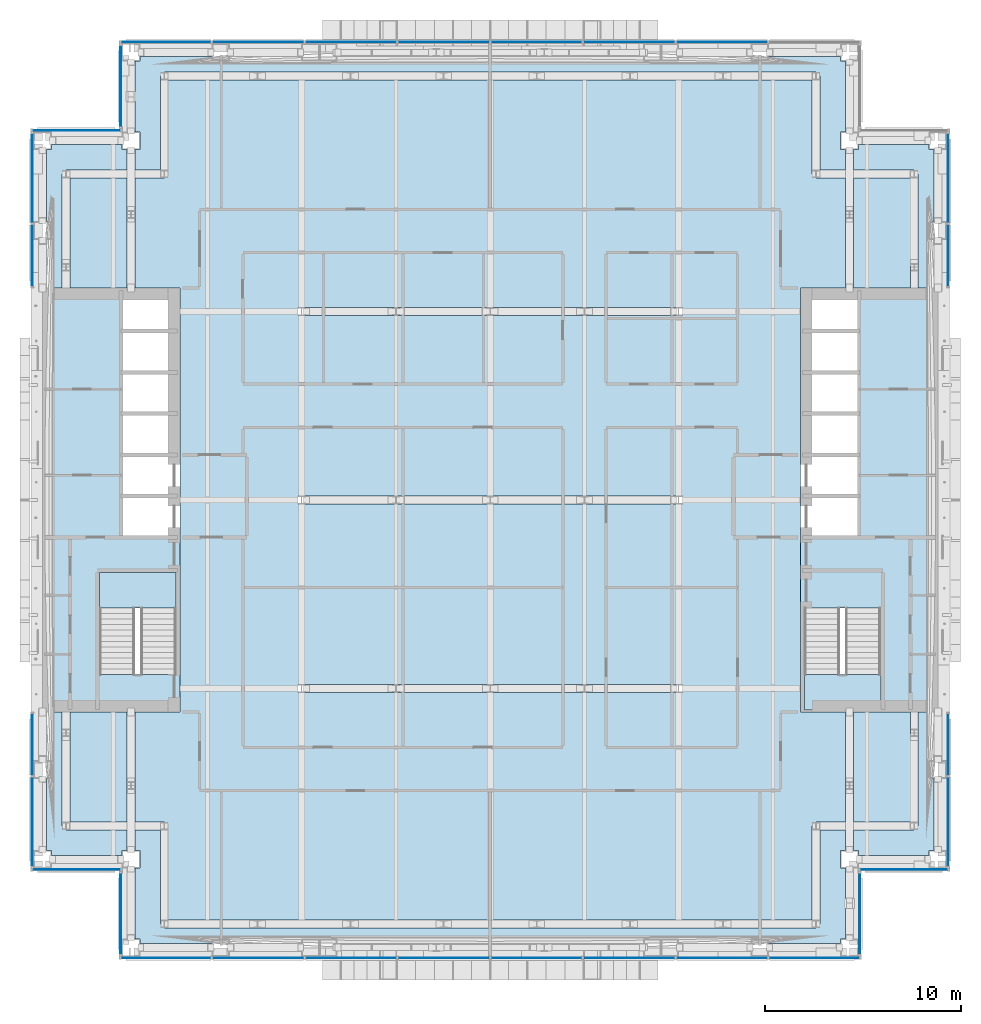
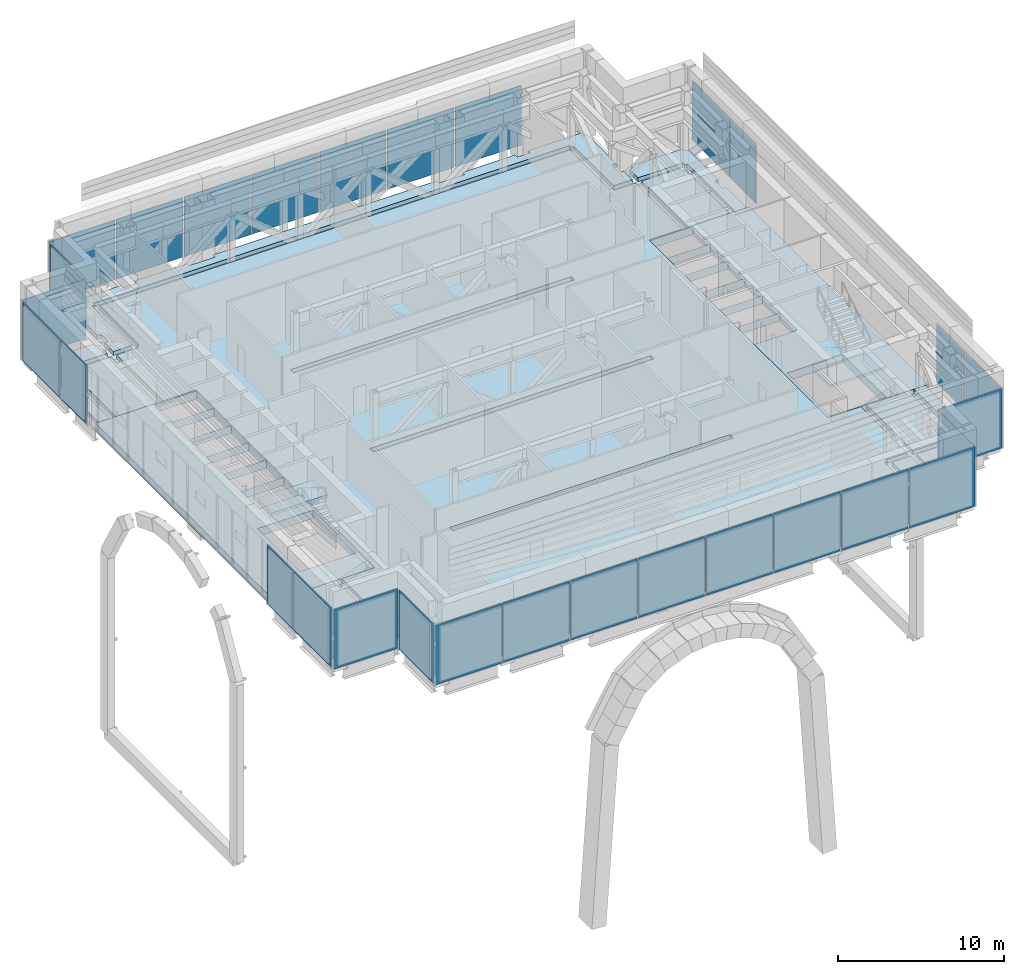
# One storey, part 9 of 38: 29 plates, 11 slabs, 14 elements without a shape of their own.
"""IFC4 building model written with IfcOpenShell, lengths in metres."""

from ifc_helpers import new_model, si_unit, direction, frame, origin, origin_2d, place, context, subcontext, project, spatial, polyline, rectangle, outline, extrude, material, layer, layer_set, type_object, element, aggregate, save


model = new_model("IFC4")

# Units and contexts
model_context = context("Model", 3, precision=1e-05, world=origin(), true_north=direction((0.0, 1.0)))
body_context = subcontext(model_context, "Body", "Model", "MODEL_VIEW")
ifc_project = project(units=[si_unit("LENGTHUNIT", "METRE"), si_unit("AREAUNIT", "SQUARE_METRE"), si_unit("VOLUMEUNIT", "CUBIC_METRE"), si_unit("PLANEANGLEUNIT", "RADIAN"), si_unit("MASSUNIT", "GRAM", prefix="KILO")], contexts=[model_context])

# Site, building, storey
site_placement = place(None, origin())
site = spatial("IfcSite", under=ifc_project, at=site_placement, CompositionType="ELEMENT")
building_placement = place(site_placement, origin())
building = spatial("IfcBuilding", under=site, at=building_placement, Name="Cobrizo Arcos Hotel Tower", CompositionType="ELEMENT")
storey_placement = place(building_placement, frame((0.0, 0.0, 138.0)))
storey = spatial("IfcBuildingStorey", under=building, at=storey_placement, Name="L35", CompositionType="ELEMENT", Elevation=138.0)

# Curtain wall, plates
ifc_material_1 = material(Name="Aluminium 6063-T6 anodised bronze", Category="aluminium")
curtain_wall_type = type_object("IfcCurtainWallType", Name="CW-D plant louvre wall", PredefinedType="NOTDEFINED", material=ifc_material_1)
curtain_wall_1_placement = place(storey_placement, origin())
curtain_wall_1 = element("IfcCurtainWall", 1, at=curtain_wall_1_placement, inside=storey, type_object=curtain_wall_type, Name="CW-D L35 S face", PredefinedType="NOTDEFINED")
ifc_material_2 = material(Name="Aluminium composite panel pale metal", Category="aluminium")
ifc_layer_1 = layer(ifc_material_2, 0.06005859375)
ifc_layer_set_1 = layer_set([ifc_layer_1], Name="CW-D spandrel panel")
plate_type = type_object("IfcPlateType", Name="CW-D spandrel panel", PredefinedType="CURTAIN_PANEL", material=ifc_layer_set_1)
plate_1_placement = place(storey_placement, frame((-16.512451171875, -23.324951171875, 0.0), z_axis=(0.0, 0.0, 1.0), x_axis=(1.0, 0.0, 0.0)))
plate_1 = element("IfcPlate", 2, at=plate_1_placement, type_object=plate_type, Name="CW-D insulated panel 1275", PredefinedType="CURTAIN_PANEL", context=body_context, shape_type="SweptSolid", body=[
    extrude(rectangle(XDim=4.574951171875, YDim=0.0400390625, at=origin_2d()), origin(), (0.0, 0.0, 1.0), 4.39990234375),
])
plate_2_placement = place(storey_placement, frame((-11.8125, -23.324951171875, 0.0), z_axis=(0.0, 0.0, 1.0), x_axis=(1.0, 0.0, 0.0)))
plate_2 = element("IfcPlate", 3, at=plate_2_placement, type_object=plate_type, Name="CW-D insulated panel 1276", PredefinedType="CURTAIN_PANEL", context=body_context, shape_type="SweptSolid", body=[
    extrude(rectangle(XDim=4.625, YDim=0.0400390625, at=origin_2d()), origin(), (0.0, 0.0, 1.0), 4.39990234375),
])
plate_3_placement = place(storey_placement, frame((-7.08740234375, -23.324951171875, 0.0), z_axis=(0.0, 0.0, 1.0), x_axis=(1.0, 0.0, 0.0)))
plate_3 = element("IfcPlate", 4, at=plate_3_placement, type_object=plate_type, Name="CW-D insulated panel 1277", PredefinedType="CURTAIN_PANEL", context=body_context, shape_type="SweptSolid", body=[
    extrude(rectangle(XDim=4.625, YDim=0.0400390625, at=origin_2d()), origin(), (0.0, 0.0, 1.0), 4.39990234375),
])
plate_4_placement = place(storey_placement, frame((-2.362548828125, -23.324951171875, 0.0), z_axis=(0.0, 0.0, 1.0), x_axis=(1.0, 0.0, 0.0)))
plate_4 = element("IfcPlate", 5, at=plate_4_placement, type_object=plate_type, Name="CW-D insulated panel 1278", PredefinedType="CURTAIN_PANEL", context=body_context, shape_type="SweptSolid", body=[
    extrude(rectangle(XDim=4.625, YDim=0.0400390625, at=origin_2d()), origin(), (0.0, 0.0, 1.0), 4.39990234375),
])
plate_5_placement = place(storey_placement, frame((2.362548828125, -23.324951171875, 0.0), z_axis=(0.0, 0.0, 1.0), x_axis=(1.0, 0.0, 0.0)))
plate_5 = element("IfcPlate", 6, at=plate_5_placement, type_object=plate_type, Name="CW-D insulated panel 1279", PredefinedType="CURTAIN_PANEL", context=body_context, shape_type="SweptSolid", body=[
    extrude(rectangle(XDim=4.625, YDim=0.0400390625, at=origin_2d()), origin(), (0.0, 0.0, 1.0), 4.39990234375),
])
plate_6_placement = place(storey_placement, frame((7.08740234375, -23.324951171875, 0.0), z_axis=(0.0, 0.0, 1.0), x_axis=(1.0, 0.0, 0.0)))
plate_6 = element("IfcPlate", 7, at=plate_6_placement, type_object=plate_type, Name="CW-D insulated panel 1280", PredefinedType="CURTAIN_PANEL", context=body_context, shape_type="SweptSolid", body=[
    extrude(rectangle(XDim=4.625, YDim=0.0400390625, at=origin_2d()), origin(), (0.0, 0.0, 1.0), 4.39990234375),
])
plate_7_placement = place(storey_placement, frame((11.8125, -23.324951171875, 0.0), z_axis=(0.0, 0.0, 1.0), x_axis=(1.0, 0.0, 0.0)))
plate_7 = element("IfcPlate", 8, at=plate_7_placement, type_object=plate_type, Name="CW-D insulated panel 1281", PredefinedType="CURTAIN_PANEL", context=body_context, shape_type="SweptSolid", body=[
    extrude(rectangle(XDim=4.625, YDim=0.0400390625, at=origin_2d()), origin(), (0.0, 0.0, 1.0), 4.39990234375),
])
plate_8_placement = place(storey_placement, frame((16.512451171875, -23.324951171875, 0.0), z_axis=(0.0, 0.0, 1.0), x_axis=(1.0, 0.0, 0.0)))
plate_8 = element("IfcPlate", 9, at=plate_8_placement, type_object=plate_type, Name="CW-D insulated panel 1282", PredefinedType="CURTAIN_PANEL", context=body_context, shape_type="SweptSolid", body=[
    extrude(rectangle(XDim=4.574951171875, YDim=0.0400390625, at=origin_2d()), origin(), (0.0, 0.0, 1.0), 4.39990234375),
])
aggregate(curtain_wall_1, [plate_1, plate_2, plate_3, plate_4, plate_5, plate_6, plate_7, plate_8])

# Curtain wall, plate
curtain_wall_2_placement = place(storey_placement, origin())
curtain_wall_2 = element("IfcCurtainWall", 10, at=curtain_wall_2_placement, inside=storey, type_object=curtain_wall_type, Name="CW-D L35 E face", PredefinedType="NOTDEFINED")
plate_9_placement = place(storey_placement, frame((18.824951171875, -21.074951171875, 0.0), z_axis=(0.0, 0.0, 1.0), x_axis=(0.0, 1.0, 0.0)))
plate_9 = element("IfcPlate", 11, at=plate_9_placement, type_object=plate_type, Name="CW-D insulated panel 1283", PredefinedType="CURTAIN_PANEL", context=body_context, shape_type="SweptSolid", body=[
    extrude(rectangle(XDim=4.14990234375, YDim=0.0400390625, at=origin_2d()), origin(), (0.0, 0.0, 1.0), 4.39990234375),
])
aggregate(curtain_wall_2, [plate_9])

curtain_wall_3_placement = place(storey_placement, origin())
curtain_wall_3 = element("IfcCurtainWall", 12, at=curtain_wall_3_placement, inside=storey, type_object=curtain_wall_type, Name="CW-D L35 S face", PredefinedType="NOTDEFINED")
plate_10_placement = place(storey_placement, frame((21.074951171875, -18.824951171875, 0.0), z_axis=(0.0, 0.0, 1.0), x_axis=(1.0, 0.0, 0.0)))
plate_10 = element("IfcPlate", 13, at=plate_10_placement, type_object=plate_type, Name="CW-D insulated panel 1284", PredefinedType="CURTAIN_PANEL", context=body_context, shape_type="SweptSolid", body=[
    extrude(rectangle(XDim=4.449951171875, YDim=0.0400390625, at=origin_2d()), origin(), (0.0, 0.0, 1.0), 4.39990234375),
])
aggregate(curtain_wall_3, [plate_10])

# Curtain wall, plates
curtain_wall_4_placement = place(storey_placement, origin())
curtain_wall_4 = element("IfcCurtainWall", 14, at=curtain_wall_4_placement, inside=storey, type_object=curtain_wall_type, Name="CW-D L35 E face", PredefinedType="NOTDEFINED")
plate_11_placement = place(storey_placement, frame((23.324951171875, -16.38134765625, 0.0), z_axis=(0.0, 0.0, 1.0), x_axis=(0.0, 1.0, 0.0)))
plate_11 = element("IfcPlate", 15, at=plate_11_placement, type_object=plate_type, Name="CW-D insulated panel 1285", PredefinedType="CURTAIN_PANEL", context=body_context, shape_type="SweptSolid", body=[
    extrude(rectangle(XDim=4.53759765625, YDim=0.0400390625, at=origin_2d()), origin(), (0.0, 0.0, 1.0), 4.39990234375),
])
plate_12_placement = place(storey_placement, frame((23.324951171875, -12.456298828125, 0.0), z_axis=(0.0, 0.0, 1.0), x_axis=(0.0, 1.0, 0.0)))
plate_12 = element("IfcPlate", 16, at=plate_12_placement, type_object=plate_type, Name="CW-D insulated panel 1286", PredefinedType="CURTAIN_PANEL", context=body_context, shape_type="SweptSolid", body=[
    extrude(rectangle(XDim=3.112548828125, YDim=0.0400390625, at=origin_2d()), origin(), (0.0, 0.0, 1.0), 4.39990234375),
])
aggregate(curtain_wall_4, [plate_11, plate_12])

curtain_wall_5_placement = place(storey_placement, origin())
curtain_wall_5 = element("IfcCurtainWall", 17, at=curtain_wall_5_placement, inside=storey, type_object=curtain_wall_type, Name="CW-D L35 E face", PredefinedType="NOTDEFINED")
plate_13_placement = place(storey_placement, frame((23.324951171875, 12.456298828125, 0.0), z_axis=(0.0, 0.0, 1.0), x_axis=(0.0, 1.0, 0.0)))
plate_13 = element("IfcPlate", 18, at=plate_13_placement, type_object=plate_type, Name="CW-D insulated panel 1287", PredefinedType="CURTAIN_PANEL", context=body_context, shape_type="SweptSolid", body=[
    extrude(rectangle(XDim=3.112548828125, YDim=0.0400390625, at=origin_2d()), origin(), (0.0, 0.0, 1.0), 4.39990234375),
])
plate_14_placement = place(storey_placement, frame((23.324951171875, 16.38134765625, 0.0), z_axis=(0.0, 0.0, 1.0), x_axis=(0.0, 1.0, 0.0)))
plate_14 = element("IfcPlate", 19, at=plate_14_placement, type_object=plate_type, Name="CW-D insulated panel 1288", PredefinedType="CURTAIN_PANEL", context=body_context, shape_type="SweptSolid", body=[
    extrude(rectangle(XDim=4.53759765625, YDim=0.0400390625, at=origin_2d()), origin(), (0.0, 0.0, 1.0), 4.39990234375),
])
aggregate(curtain_wall_5, [plate_13, plate_14])

curtain_wall_6_placement = place(storey_placement, origin())
curtain_wall_6 = element("IfcCurtainWall", 20, at=curtain_wall_6_placement, inside=storey, type_object=curtain_wall_type, Name="CW-D L35 N face", PredefinedType="NOTDEFINED")
plate_15_placement = place(storey_placement, frame((11.8125, 23.324951171875, 0.0), z_axis=(0.0, 0.0, 1.0), x_axis=(-1.0, 0.0, 0.0)))
plate_15 = element("IfcPlate", 21, at=plate_15_placement, type_object=plate_type, Name="CW-D insulated panel 1292", PredefinedType="CURTAIN_PANEL", context=body_context, shape_type="SweptSolid", body=[
    extrude(rectangle(XDim=4.625, YDim=0.0400390625, at=origin_2d()), origin(), (0.0, 0.0, 1.0), 4.39990234375),
])
plate_16_placement = place(storey_placement, frame((7.08740234375, 23.324951171875, 0.0), z_axis=(0.0, 0.0, 1.0), x_axis=(-1.0, 0.0, 0.0)))
plate_16 = element("IfcPlate", 22, at=plate_16_placement, type_object=plate_type, Name="CW-D insulated panel 1293", PredefinedType="CURTAIN_PANEL", context=body_context, shape_type="SweptSolid", body=[
    extrude(rectangle(XDim=4.625, YDim=0.0400390625, at=origin_2d()), origin(), (0.0, 0.0, 1.0), 4.39990234375),
])
plate_17_placement = place(storey_placement, frame((2.362548828125, 23.324951171875, 0.0), z_axis=(0.0, 0.0, 1.0), x_axis=(-1.0, 0.0, 0.0)))
plate_17 = element("IfcPlate", 23, at=plate_17_placement, type_object=plate_type, Name="CW-D insulated panel 1294", PredefinedType="CURTAIN_PANEL", context=body_context, shape_type="SweptSolid", body=[
    extrude(rectangle(XDim=4.625, YDim=0.0400390625, at=origin_2d()), origin(), (0.0, 0.0, 1.0), 4.39990234375),
])
plate_18_placement = place(storey_placement, frame((-2.362548828125, 23.324951171875, 0.0), z_axis=(0.0, 0.0, 1.0), x_axis=(-1.0, 0.0, 0.0)))
plate_18 = element("IfcPlate", 24, at=plate_18_placement, type_object=plate_type, Name="CW-D insulated panel 1295", PredefinedType="CURTAIN_PANEL", context=body_context, shape_type="SweptSolid", body=[
    extrude(rectangle(XDim=4.625, YDim=0.0400390625, at=origin_2d()), origin(), (0.0, 0.0, 1.0), 4.39990234375),
])
plate_19_placement = place(storey_placement, frame((-7.08740234375, 23.324951171875, 0.0), z_axis=(0.0, 0.0, 1.0), x_axis=(-1.0, 0.0, 0.0)))
plate_19 = element("IfcPlate", 25, at=plate_19_placement, type_object=plate_type, Name="CW-D insulated panel 1296", PredefinedType="CURTAIN_PANEL", context=body_context, shape_type="SweptSolid", body=[
    extrude(rectangle(XDim=4.625, YDim=0.0400390625, at=origin_2d()), origin(), (0.0, 0.0, 1.0), 4.39990234375),
])
plate_20_placement = place(storey_placement, frame((-11.8125, 23.324951171875, 0.0), z_axis=(0.0, 0.0, 1.0), x_axis=(-1.0, 0.0, 0.0)))
plate_20 = element("IfcPlate", 26, at=plate_20_placement, type_object=plate_type, Name="CW-D insulated panel 1297", PredefinedType="CURTAIN_PANEL", context=body_context, shape_type="SweptSolid", body=[
    extrude(rectangle(XDim=4.625, YDim=0.0400390625, at=origin_2d()), origin(), (0.0, 0.0, 1.0), 4.39990234375),
])
plate_21_placement = place(storey_placement, frame((-16.512451171875, 23.324951171875, 0.0), z_axis=(0.0, 0.0, 1.0), x_axis=(-1.0, 0.0, 0.0)))
plate_21 = element("IfcPlate", 27, at=plate_21_placement, type_object=plate_type, Name="CW-D insulated panel 1298", PredefinedType="CURTAIN_PANEL", context=body_context, shape_type="SweptSolid", body=[
    extrude(rectangle(XDim=4.574951171875, YDim=0.0400390625, at=origin_2d()), origin(), (0.0, 0.0, 1.0), 4.39990234375),
])
aggregate(curtain_wall_6, [plate_15, plate_16, plate_17, plate_18, plate_19, plate_20, plate_21])

# Curtain wall, plate
curtain_wall_7_placement = place(storey_placement, origin())
curtain_wall_7 = element("IfcCurtainWall", 28, at=curtain_wall_7_placement, inside=storey, type_object=curtain_wall_type, Name="CW-D L35 W face", PredefinedType="NOTDEFINED")
plate_22_placement = place(storey_placement, frame((-18.824951171875, 21.074951171875, 0.0), z_axis=(0.0, 0.0, 1.0), x_axis=(0.0, -1.0, 0.0)))
plate_22 = element("IfcPlate", 29, at=plate_22_placement, type_object=plate_type, Name="CW-D insulated panel 1299", PredefinedType="CURTAIN_PANEL", context=body_context, shape_type="SweptSolid", body=[
    extrude(rectangle(XDim=4.14990234375, YDim=0.0400390625, at=origin_2d()), origin(), (0.0, 0.0, 1.0), 4.39990234375),
])
aggregate(curtain_wall_7, [plate_22])

curtain_wall_8_placement = place(storey_placement, origin())
curtain_wall_8 = element("IfcCurtainWall", 30, at=curtain_wall_8_placement, inside=storey, type_object=curtain_wall_type, Name="CW-D L35 N face", PredefinedType="NOTDEFINED")
plate_23_placement = place(storey_placement, frame((-21.074951171875, 18.824951171875, 0.0), z_axis=(0.0, 0.0, 1.0), x_axis=(-1.0, 0.0, 0.0)))
plate_23 = element("IfcPlate", 31, at=plate_23_placement, type_object=plate_type, Name="CW-D insulated panel 1300", PredefinedType="CURTAIN_PANEL", context=body_context, shape_type="SweptSolid", body=[
    extrude(rectangle(XDim=4.449951171875, YDim=0.0400390625, at=origin_2d()), origin(), (0.0, 0.0, 1.0), 4.39990234375),
])
aggregate(curtain_wall_8, [plate_23])

# Curtain wall, plates
curtain_wall_9_placement = place(storey_placement, origin())
curtain_wall_9 = element("IfcCurtainWall", 32, at=curtain_wall_9_placement, inside=storey, type_object=curtain_wall_type, Name="CW-D L35 W face", PredefinedType="NOTDEFINED")
plate_24_placement = place(storey_placement, frame((-23.324951171875, 16.38134765625, 0.0), z_axis=(0.0, 0.0, 1.0), x_axis=(0.0, -1.0, 0.0)))
plate_24 = element("IfcPlate", 33, at=plate_24_placement, type_object=plate_type, Name="CW-D insulated panel 1301", PredefinedType="CURTAIN_PANEL", context=body_context, shape_type="SweptSolid", body=[
    extrude(rectangle(XDim=4.53759765625, YDim=0.0400390625, at=origin_2d()), origin(), (0.0, 0.0, 1.0), 4.39990234375),
])
plate_25_placement = place(storey_placement, frame((-23.324951171875, 12.456298828125, 0.0), z_axis=(0.0, 0.0, 1.0), x_axis=(0.0, -1.0, 0.0)))
plate_25 = element("IfcPlate", 34, at=plate_25_placement, type_object=plate_type, Name="CW-D insulated panel 1302", PredefinedType="CURTAIN_PANEL", context=body_context, shape_type="SweptSolid", body=[
    extrude(rectangle(XDim=3.112548828125, YDim=0.0400390625, at=origin_2d()), origin(), (0.0, 0.0, 1.0), 4.39990234375),
])
aggregate(curtain_wall_9, [plate_24, plate_25])

curtain_wall_10_placement = place(storey_placement, origin())
curtain_wall_10 = element("IfcCurtainWall", 35, at=curtain_wall_10_placement, inside=storey, type_object=curtain_wall_type, Name="CW-D L35 W face", PredefinedType="NOTDEFINED")
plate_26_placement = place(storey_placement, frame((-23.324951171875, -12.456298828125, 0.0), z_axis=(0.0, 0.0, 1.0), x_axis=(0.0, -1.0, 0.0)))
plate_26 = element("IfcPlate", 36, at=plate_26_placement, type_object=plate_type, Name="CW-D insulated panel 1303", PredefinedType="CURTAIN_PANEL", context=body_context, shape_type="SweptSolid", body=[
    extrude(rectangle(XDim=3.112548828125, YDim=0.0400390625, at=origin_2d()), origin(), (0.0, 0.0, 1.0), 4.39990234375),
])
plate_27_placement = place(storey_placement, frame((-23.324951171875, -16.38134765625, 0.0), z_axis=(0.0, 0.0, 1.0), x_axis=(0.0, -1.0, 0.0)))
plate_27 = element("IfcPlate", 37, at=plate_27_placement, type_object=plate_type, Name="CW-D insulated panel 1304", PredefinedType="CURTAIN_PANEL", context=body_context, shape_type="SweptSolid", body=[
    extrude(rectangle(XDim=4.53759765625, YDim=0.0400390625, at=origin_2d()), origin(), (0.0, 0.0, 1.0), 4.39990234375),
])
aggregate(curtain_wall_10, [plate_26, plate_27])

# Curtain wall, plate
curtain_wall_11_placement = place(storey_placement, origin())
curtain_wall_11 = element("IfcCurtainWall", 38, at=curtain_wall_11_placement, inside=storey, type_object=curtain_wall_type, Name="CW-D L35 S face", PredefinedType="NOTDEFINED")
plate_28_placement = place(storey_placement, frame((-21.074951171875, -18.824951171875, 0.0), z_axis=(0.0, 0.0, 1.0), x_axis=(1.0, 0.0, 0.0)))
plate_28 = element("IfcPlate", 39, at=plate_28_placement, type_object=plate_type, Name="CW-D insulated panel 1305", PredefinedType="CURTAIN_PANEL", context=body_context, shape_type="SweptSolid", body=[
    extrude(rectangle(XDim=4.449951171875, YDim=0.0400390625, at=origin_2d()), origin(), (0.0, 0.0, 1.0), 4.39990234375),
])
aggregate(curtain_wall_11, [plate_28])

curtain_wall_12_placement = place(storey_placement, origin())
curtain_wall_12 = element("IfcCurtainWall", 40, at=curtain_wall_12_placement, inside=storey, type_object=curtain_wall_type, Name="CW-D L35 W face", PredefinedType="NOTDEFINED")
plate_29_placement = place(storey_placement, frame((-18.824951171875, -21.074951171875, 0.0), z_axis=(0.0, 0.0, 1.0), x_axis=(0.0, -1.0, 0.0)))
plate_29 = element("IfcPlate", 41, at=plate_29_placement, type_object=plate_type, Name="CW-D insulated panel 1306", PredefinedType="CURTAIN_PANEL", context=body_context, shape_type="SweptSolid", body=[
    extrude(rectangle(XDim=4.14990234375, YDim=0.0400390625, at=origin_2d()), origin(), (0.0, 0.0, 1.0), 4.39990234375),
])
aggregate(curtain_wall_12, [plate_29])

# Slabs
ifc_material_3 = material(Name="Concrete f'c 35 MPa", Category="concrete")
ifc_layer_2 = layer(ifc_material_3, 0.300048828125)
ifc_layer_set_2 = layer_set([ifc_layer_2], Name="Composite floor slab 300 f'c 35")
slab_type_1 = type_object("IfcSlabType", Name="Composite floor slab 300 f'c 35", PredefinedType="FLOOR", material=ifc_layer_set_2)
slab_1_placement = place(storey_placement, frame((0.0, 0.0, -0.300048828125)))
element("IfcSlab", 42, at=slab_1_placement, inside=storey, type_object=slab_type_1, Name="Floor slab S2, L35, no. 01", PredefinedType="FLOOR", context=body_context, shape_type="SweptSolid", body=[
    extrude(outline(polyline([(22.800048828125, -10.801025390625), (22.599609375, -10.801025390625), (22.599609375, -13.27490234375), (22.35009765625, -13.27490234375), (22.35009765625, -14.175048828125), (22.599609375, -14.175048828125), (22.599609375, -17.85009765625), (22.35009765625, -17.85009765625), (22.35009765625, -18.099609375), (18.75, -18.099609375), (18.75, -17.85009765625), (18.50048828125, -17.85009765625), (18.50048828125, -16.800537109375), (21.60009765625, -16.800537109375), (21.60009765625, -16.60009765625), (21.800537109375, -16.60009765625), (21.800537109375, -10.801025390625), (21.3994140625, -10.801025390625), (21.3994140625, -16.3994140625), (18.50048828125, -16.3994140625), (18.50048828125, -10.800048828125), (22.800048828125, -10.800048828125), (22.800048828125, -10.801025390625)])), origin(), (0.0, 0.0, 1.0), 0.300048828125),
])
slab_2_placement = place(storey_placement, frame((0.0, 0.0, -0.300048828125)))
element("IfcSlab", 43, at=slab_2_placement, inside=storey, type_object=slab_type_1, Name="Floor slab S2, L35, no. 02", PredefinedType="FLOOR", context=body_context, shape_type="SweptSolid", body=[
    extrude(outline(polyline([(22.800048828125, 10.800048828125), (18.50048828125, 10.800048828125), (18.50048828125, 16.3994140625), (21.3994140625, 16.3994140625), (21.3994140625, 10.801025390625), (21.800537109375, 10.801025390625), (21.800537109375, 16.60009765625), (21.60009765625, 16.60009765625), (21.60009765625, 16.800537109375), (18.50048828125, 16.800537109375), (18.50048828125, 17.85009765625), (18.75, 17.85009765625), (18.75, 18.099609375), (22.35009765625, 18.099609375), (22.35009765625, 17.85009765625), (22.599609375, 17.85009765625), (22.599609375, 14.175048828125), (22.35009765625, 14.175048828125), (22.35009765625, 13.27490234375), (22.599609375, 13.27490234375), (22.599609375, 10.801025390625), (22.800048828125, 10.801025390625), (22.800048828125, 10.800048828125)])), origin(), (0.0, 0.0, 1.0), 0.300048828125),
])
slab_3_placement = place(storey_placement, frame((0.0, 0.0, -0.300048828125)))
element("IfcSlab", 44, at=slab_3_placement, inside=storey, type_object=slab_type_1, Name="Floor slab S2, L35, no. 03", PredefinedType="FLOOR", context=body_context, shape_type="SweptSolid", body=[
    extrude(outline(polyline([(-22.800048828125, 10.801025390625), (-22.599609375, 10.801025390625), (-22.599609375, 13.27490234375), (-22.35009765625, 13.27490234375), (-22.35009765625, 14.175048828125), (-22.599609375, 14.175048828125), (-22.599609375, 17.85009765625), (-22.35009765625, 17.85009765625), (-22.35009765625, 18.099609375), (-18.75, 18.099609375), (-18.75, 17.85009765625), (-18.50048828125, 17.85009765625), (-18.50048828125, 16.800537109375), (-21.60009765625, 16.800537109375), (-21.60009765625, 16.60009765625), (-21.800537109375, 16.60009765625), (-21.800537109375, 10.801025390625), (-21.3994140625, 10.801025390625), (-21.3994140625, 16.3994140625), (-18.50048828125, 16.3994140625), (-18.50048828125, 10.800048828125), (-22.800048828125, 10.800048828125), (-22.800048828125, 10.801025390625)])), origin(), (0.0, 0.0, 1.0), 0.300048828125),
])
slab_4_placement = place(storey_placement, frame((0.0, 0.0, -0.300048828125)))
element("IfcSlab", 45, at=slab_4_placement, inside=storey, type_object=slab_type_1, Name="Floor slab S2, L35, no. 04", PredefinedType="FLOOR", context=body_context, shape_type="SweptSolid", body=[
    extrude(outline(polyline([(-22.800048828125, -10.800048828125), (-18.50048828125, -10.800048828125), (-18.50048828125, -16.3994140625), (-21.3994140625, -16.3994140625), (-21.3994140625, -10.801025390625), (-21.800537109375, -10.801025390625), (-21.800537109375, -16.60009765625), (-21.60009765625, -16.60009765625), (-21.60009765625, -16.800537109375), (-18.50048828125, -16.800537109375), (-18.50048828125, -17.85009765625), (-18.75, -17.85009765625), (-18.75, -18.099609375), (-22.35009765625, -18.099609375), (-22.35009765625, -17.85009765625), (-22.599609375, -17.85009765625), (-22.599609375, -14.175048828125), (-22.35009765625, -14.175048828125), (-22.35009765625, -13.27490234375), (-22.599609375, -13.27490234375), (-22.599609375, -10.801025390625), (-22.800048828125, -10.801025390625), (-22.800048828125, -10.800048828125)])), origin(), (0.0, 0.0, 1.0), 0.300048828125),
])
slab_5_placement = place(storey_placement, frame((0.0, 0.0, -0.300048828125)))
element("IfcSlab", 46, at=slab_5_placement, inside=storey, type_object=slab_type_1, Name="Floor slab S2, L35, no. 05", PredefinedType="FLOOR", context=body_context, shape_type="SweptSolid", body=[
    extrude(outline(polyline([(-17.85009765625, 22.599609375), (-14.175048828125, 22.599609375), (-14.175048828125, 22.35009765625), (-13.27490234375, 22.35009765625), (-13.27490234375, 22.599609375), (-9.60009765625, 22.599609375), (-9.60009765625, 22.35009765625), (-8.699951171875, 22.35009765625), (-7.800048828125, 22.35009765625), (-7.800048828125, 22.599609375), (7.800048828125, 22.599609375), (7.800048828125, 22.35009765625), (8.699951171875, 22.35009765625), (9.60009765625, 22.35009765625), (9.60009765625, 22.599609375), (13.27490234375, 22.599609375), (13.27490234375, 22.35009765625), (14.175048828125, 22.35009765625), (14.175048828125, 22.599609375), (17.85009765625, 22.599609375), (17.85009765625, 22.35009765625), (18.099609375, 22.35009765625), (18.099609375, 18.75), (17.85009765625, 18.75), (17.85009765625, 17.85009765625), (18.099609375, 17.85009765625), (18.099609375, 16.800537109375), (16.800537109375, 16.800537109375), (16.800537109375, 21.60009765625), (16.60009765625, 21.60009765625), (16.60009765625, 21.800537109375), (-16.60009765625, 21.800537109375), (-16.60009765625, 21.60009765625), (-16.800537109375, 21.60009765625), (-16.800537109375, 16.800537109375), (-18.099609375, 16.800537109375), (-18.099609375, 17.85009765625), (-17.85009765625, 17.85009765625), (-17.85009765625, 18.75), (-18.099609375, 18.75), (-18.099609375, 22.35009765625), (-17.85009765625, 22.35009765625), (-17.85009765625, 22.599609375)])), origin(), (0.0, 0.0, 1.0), 0.300048828125),
])
slab_6_placement = place(storey_placement, frame((0.0, 0.0, -0.300048828125)))
element("IfcSlab", 47, at=slab_6_placement, inside=storey, type_object=slab_type_1, Name="Floor slab S2, L35, no. 06", PredefinedType="FLOOR", context=body_context, shape_type="SweptSolid", body=[
    extrude(outline(polyline([(-16.3994140625, 21.3994140625), (16.3994140625, 21.3994140625), (16.3994140625, 16.60009765625), (16.60009765625, 16.60009765625), (16.60009765625, 16.3994140625), (18.099609375, 16.3994140625), (18.099609375, 10.800048828125), (15.800048828125, 10.800048828125), (15.800048828125, -10.800048828125), (18.099609375, -10.800048828125), (18.099609375, -16.3994140625), (16.60009765625, -16.3994140625), (16.60009765625, -16.60009765625), (16.3994140625, -16.60009765625), (16.3994140625, -21.3994140625), (-16.3994140625, -21.3994140625), (-16.3994140625, -16.60009765625), (-16.60009765625, -16.60009765625), (-16.60009765625, -16.3994140625), (-18.099609375, -16.3994140625), (-18.099609375, -10.800048828125), (-15.800048828125, -10.800048828125), (-15.800048828125, 10.800048828125), (-18.099609375, 10.800048828125), (-18.099609375, 16.3994140625), (-16.60009765625, 16.3994140625), (-16.60009765625, 16.60009765625), (-16.3994140625, 16.60009765625), (-16.3994140625, 21.3994140625)]), holes=[polyline([(9.60009765625, -9.800537109375), (9.60009765625, -9.79931640625), (9.79931640625, -9.79931640625), (9.79931640625, -9.400634765625), (9.60009765625, -9.400634765625), (9.60009765625, -9.3994140625), (-9.60009765625, -9.3994140625), (-9.60009765625, -9.400634765625), (-9.79931640625, -9.400634765625), (-9.79931640625, -9.79931640625), (-9.60009765625, -9.79931640625), (-9.60009765625, -9.800537109375), (9.60009765625, -9.800537109375)]), polyline([(9.60009765625, -0.200439453125), (9.60009765625, -0.199462890625), (9.79931640625, -0.199462890625), (9.79931640625, 0.199462890625), (9.60009765625, 0.199462890625), (9.60009765625, 0.200439453125), (-9.60009765625, 0.200439453125), (-9.60009765625, 0.199462890625), (-9.79931640625, 0.199462890625), (-9.79931640625, -0.199462890625), (-9.60009765625, -0.199462890625), (-9.60009765625, -0.200439453125), (9.60009765625, -0.200439453125)]), polyline([(-9.79931640625, 9.79931640625), (-9.79931640625, 9.400634765625), (-9.60009765625, 9.400634765625), (-9.60009765625, 9.3994140625), (9.60009765625, 9.3994140625), (9.60009765625, 9.400634765625), (9.79931640625, 9.400634765625), (9.79931640625, 9.79931640625), (9.60009765625, 9.79931640625), (9.60009765625, 9.800537109375), (-9.60009765625, 9.800537109375), (-9.60009765625, 9.79931640625), (-9.79931640625, 9.79931640625)])]), origin(), (0.0, 0.0, 1.0), 0.300048828125),
])
slab_7_placement = place(storey_placement, frame((0.0, 0.0, -0.300048828125)))
element("IfcSlab", 48, at=slab_7_placement, inside=storey, type_object=slab_type_1, Name="Floor slab S2, L35, no. 07", PredefinedType="FLOOR", context=body_context, shape_type="SweptSolid", body=[
    extrude(outline(polyline([(16.60009765625, -21.60009765625), (16.800537109375, -21.60009765625), (16.800537109375, -16.800537109375), (18.099609375, -16.800537109375), (18.099609375, -17.85009765625), (17.85009765625, -17.85009765625), (17.85009765625, -18.75), (18.099609375, -18.75), (18.099609375, -22.35009765625), (17.85009765625, -22.35009765625), (17.85009765625, -22.599609375), (14.175048828125, -22.599609375), (14.175048828125, -22.35009765625), (13.27490234375, -22.35009765625), (13.27490234375, -22.599609375), (9.60009765625, -22.599609375), (9.60009765625, -22.35009765625), (8.699951171875, -22.35009765625), (7.800048828125, -22.35009765625), (7.800048828125, -22.599609375), (-7.800048828125, -22.599609375), (-7.800048828125, -22.35009765625), (-8.699951171875, -22.35009765625), (-9.60009765625, -22.35009765625), (-9.60009765625, -22.599609375), (-13.27490234375, -22.599609375), (-13.27490234375, -22.35009765625), (-14.175048828125, -22.35009765625), (-14.175048828125, -22.599609375), (-17.85009765625, -22.599609375), (-17.85009765625, -22.35009765625), (-18.099609375, -22.35009765625), (-18.099609375, -18.75), (-17.85009765625, -18.75), (-17.85009765625, -17.85009765625), (-18.099609375, -17.85009765625), (-18.099609375, -16.800537109375), (-16.800537109375, -16.800537109375), (-16.800537109375, -21.60009765625), (-16.60009765625, -21.60009765625), (-16.60009765625, -21.800537109375), (16.60009765625, -21.800537109375), (16.60009765625, -21.60009765625)])), origin(), (0.0, 0.0, 1.0), 0.300048828125),
])
ifc_material_4 = material(Name="Concrete f'c 50 MPa", Category="concrete")
ifc_layer_3 = layer(ifc_material_4, 0.60009765625)
ifc_layer_set_3 = layer_set([ifc_layer_3], Name="RC core floor slab 600 f'c 50")
slab_type_2 = type_object("IfcSlabType", Name="RC core floor slab 600 f'c 50", PredefinedType="FLOOR", material=ifc_layer_set_3)
slab_8_placement = place(storey_placement, frame((0.0, 0.0, -0.60009765625)))
element("IfcSlab", 49, at=slab_8_placement, inside=storey, type_object=slab_type_2, Name="Core floor slab CS4, east core, L35", PredefinedType="FLOOR", context=body_context, shape_type="SweptSolid", body=[
    extrude(outline(polyline([(15.800048828125, 10.800048828125), (22.800048828125, 10.800048828125), (22.800048828125, -10.800048828125), (15.800048828125, -10.800048828125), (15.800048828125, 10.800048828125)]), holes=[polyline([(19.89794921875, -10.697998046875), (19.89794921875, -5.501953125), (16.001953125, -5.501953125), (16.001953125, -10.697998046875), (19.89794921875, -10.697998046875)]), polyline([(15.802001953125, 0.197998046875), (15.802001953125, -1.89794921875), (18.798095703125, -1.89794921875), (18.798095703125, 0.197998046875), (15.802001953125, 0.197998046875)]), polyline([(18.798095703125, 2.298095703125), (15.802001953125, 2.298095703125), (15.802001953125, 0.201904296875), (18.798095703125, 0.201904296875), (18.798095703125, 2.298095703125)]), polyline([(18.798095703125, 4.39794921875), (15.802001953125, 4.39794921875), (15.802001953125, 2.302001953125), (18.798095703125, 2.302001953125), (18.798095703125, 4.39794921875)]), polyline([(15.802001953125, 6.498046875), (15.802001953125, 4.402099609375), (18.798095703125, 4.402099609375), (18.798095703125, 6.498046875), (15.802001953125, 6.498046875)]), polyline([(18.798095703125, 8.597900390625), (15.802001953125, 8.597900390625), (15.802001953125, 6.501953125), (18.798095703125, 6.501953125), (18.798095703125, 8.597900390625)]), polyline([(18.798095703125, 10.697998046875), (15.802001953125, 10.697998046875), (15.802001953125, 8.60205078125), (18.798095703125, 8.60205078125), (18.798095703125, 10.697998046875)])]), origin(), (0.0, 0.0, 1.0), 0.60009765625),
])
slab_9_placement = place(storey_placement, frame((0.0, 0.0, -0.60009765625)))
element("IfcSlab", 50, at=slab_9_placement, inside=storey, type_object=slab_type_2, Name="Core floor slab CS4, west core, L35", PredefinedType="FLOOR", context=body_context, shape_type="SweptSolid", body=[
    extrude(outline(polyline([(-22.800048828125, 10.800048828125), (-15.800048828125, 10.800048828125), (-15.800048828125, -10.800048828125), (-22.800048828125, -10.800048828125), (-22.800048828125, 10.800048828125)]), holes=[polyline([(-19.89794921875, -3.701904296875), (-19.89794921875, -8.89794921875), (-16.001953125, -8.89794921875), (-16.001953125, -3.701904296875), (-19.89794921875, -3.701904296875)]), polyline([(-18.798095703125, 0.197998046875), (-18.798095703125, -1.89794921875), (-15.802001953125, -1.89794921875), (-15.802001953125, 0.197998046875), (-18.798095703125, 0.197998046875)]), polyline([(-15.802001953125, 2.298095703125), (-18.798095703125, 2.298095703125), (-18.798095703125, 0.201904296875), (-15.802001953125, 0.201904296875), (-15.802001953125, 2.298095703125)]), polyline([(-15.802001953125, 4.39794921875), (-18.798095703125, 4.39794921875), (-18.798095703125, 2.302001953125), (-15.802001953125, 2.302001953125), (-15.802001953125, 4.39794921875)]), polyline([(-18.798095703125, 6.498046875), (-18.798095703125, 4.402099609375), (-15.802001953125, 4.402099609375), (-15.802001953125, 6.498046875), (-18.798095703125, 6.498046875)]), polyline([(-15.802001953125, 8.597900390625), (-18.798095703125, 8.597900390625), (-18.798095703125, 6.501953125), (-15.802001953125, 6.501953125), (-15.802001953125, 8.597900390625)]), polyline([(-15.802001953125, 10.697998046875), (-18.798095703125, 10.697998046875), (-18.798095703125, 8.60205078125), (-15.802001953125, 8.60205078125), (-15.802001953125, 10.697998046875)])]), origin(), (0.0, 0.0, 1.0), 0.60009765625),
])

# Stair, slab
ifc_material_5 = material(Name="Concrete f'c 40 MPa", Category="concrete")
stair_type = type_object("IfcStairType", Name="Exit stair", PredefinedType="HALF_TURN_STAIR", material=ifc_material_5)
stair_1_placement = place(storey_placement, origin())
stair_1 = element("IfcStair", 51, at=stair_1_placement, inside=storey, type_object=stair_type, Name="L35 Exit stair ST-W", PredefinedType="HALF_TURN_STAIR")
ifc_layer_4 = layer(ifc_material_5, 0.199951171875)
ifc_layer_set_4 = layer_set([ifc_layer_4], Name="Stair landing")
slab_type_3 = type_object("IfcSlabType", Name="Stair landing", PredefinedType="LANDING", material=ifc_layer_set_4)
slab_10_placement = place(storey_placement, frame((0.0, 0.0, 2.050048828125)))
slab_10 = element("IfcSlab", 52, at=slab_10_placement, type_object=slab_type_3, Name="ST-W landing 1", PredefinedType="LANDING", context=body_context, shape_type="SweptSolid", body=[
    extrude(outline(polyline([(-16.0, -5.5), (-16.0, -3.699951171875), (-19.89990234375, -3.699951171875), (-19.89990234375, -5.5), (-16.0, -5.5)])), origin(), (0.0, 0.0, 1.0), 0.199951171875),
])
aggregate(stair_1, [slab_10])

stair_2_placement = place(storey_placement, origin())
stair_2 = element("IfcStair", 53, at=stair_2_placement, inside=storey, type_object=stair_type, Name="L35 Exit stair ST-E", PredefinedType="HALF_TURN_STAIR")
slab_11_placement = place(storey_placement, frame((0.0, 0.0, 2.050048828125)))
slab_11 = element("IfcSlab", 54, at=slab_11_placement, type_object=slab_type_3, Name="ST-E landing 1", PredefinedType="LANDING", context=body_context, shape_type="SweptSolid", body=[
    extrude(outline(polyline([(16.0, -8.89990234375), (16.0, -10.699951171875), (19.89990234375, -10.699951171875), (19.89990234375, -8.89990234375), (16.0, -8.89990234375)])), origin(), (0.0, 0.0, 1.0), 0.199951171875),
])
aggregate(stair_2, [slab_11])

save(model, "model.ifc")
